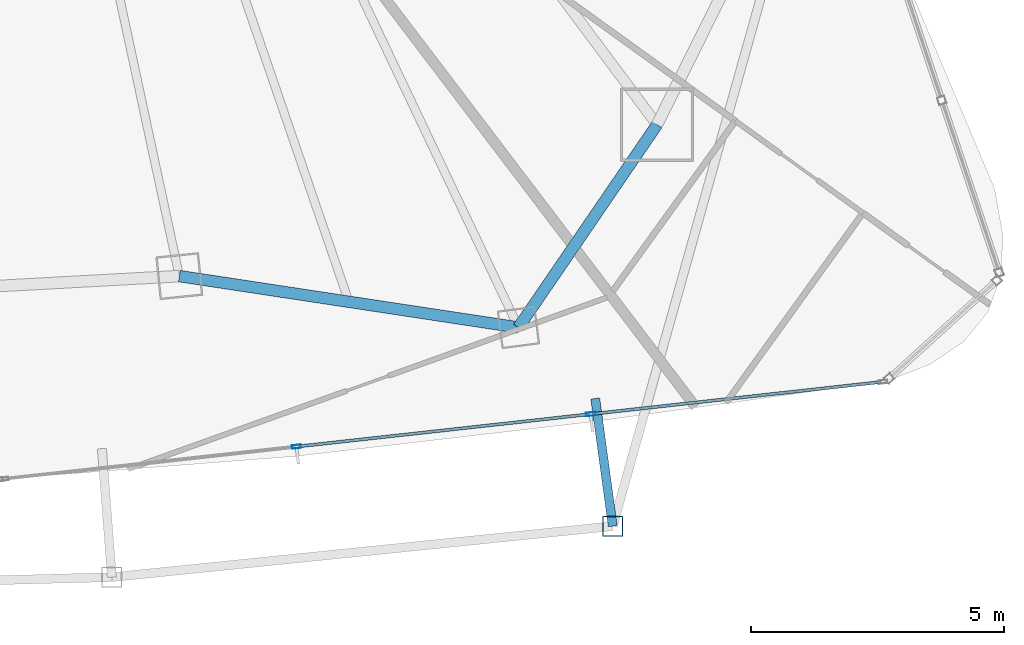
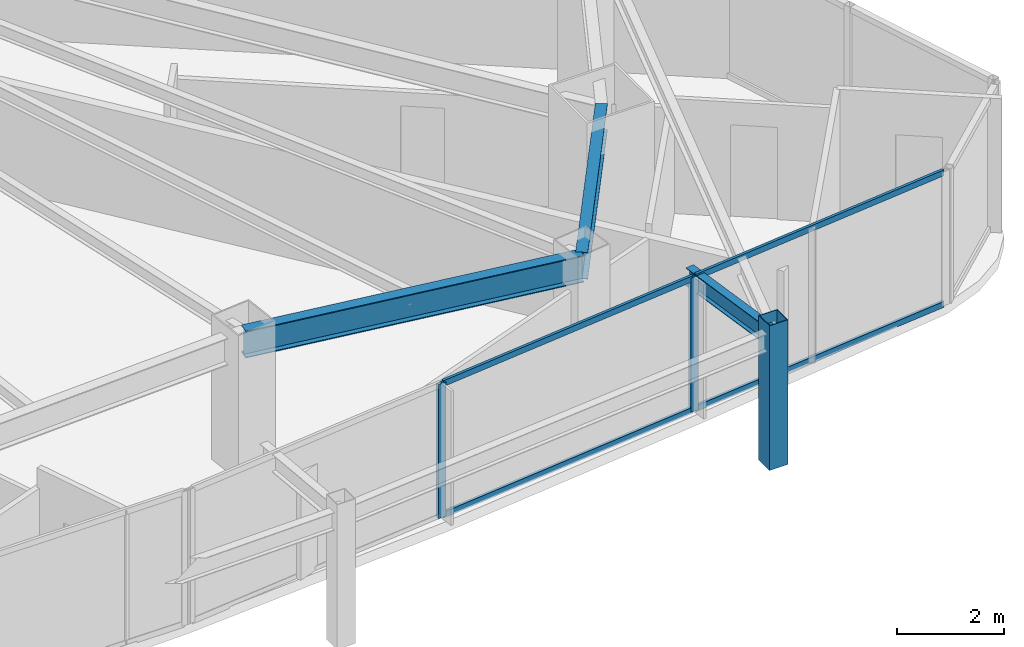
# One storey, part 12 of 30: 7 members, 3 beams, 1 element without a shape of its own.
"""IFC4 building model written with IfcOpenShell, lengths in metres."""

from ifc_helpers import new_model, si_unit, direction, frame, origin, origin_2d, place, context, subcontext, project, spatial, hollow_rectangle, i_section, extrude, material, layer, layer_set, material_profile, profile_set, type_object, element, aggregate, save


model = new_model("IFC4")

# Units and contexts
model_context = context("Model", 3, precision=1e-05, world=origin(), true_north=direction((0.0, 1.0)))
body_context = subcontext(model_context, "Body", "Model", "MODEL_VIEW")
ifc_project = project(units=[si_unit("LENGTHUNIT", "METRE"), si_unit("AREAUNIT", "SQUARE_METRE"), si_unit("VOLUMEUNIT", "CUBIC_METRE"), si_unit("PLANEANGLEUNIT", "RADIAN"), si_unit("MASSUNIT", "GRAM", prefix="KILO")], contexts=[model_context])

# Site, building, storey
site_placement = place(None, origin())
site = spatial("IfcSite", under=ifc_project, at=site_placement, CompositionType="ELEMENT")
building_placement = place(site_placement, origin())
building = spatial("IfcBuilding", under=site, at=building_placement, Name="Orvanel Arch Residences", CompositionType="ELEMENT")
storey_placement = place(building_placement, frame((0.0, 0.0, 139.699951171875)))
storey = spatial("IfcBuildingStorey", under=building, at=storey_placement, Name="L39", CompositionType="ELEMENT", Elevation=139.699951171875)

# Curtain wall, members
ifc_material_1 = material(Name="Bronze-anodised aluminium AA6063-T6", Category="aluminium")
ifc_layer = layer(ifc_material_1, 0.179931640625)
ifc_layer_set = layer_set([ifc_layer], Name="Bronze-anodised aluminium AA6063-T6")
curtain_wall_type = type_object("IfcCurtainWallType", Name="CW3-MID-SYS", PredefinedType="NOTDEFINED", material=ifc_layer_set)
curtain_wall_placement = place(storey_placement, origin())
curtain_wall = element("IfcCurtainWall", 1, at=curtain_wall_placement, inside=storey, type_object=curtain_wall_type, Name="L39 CW3-MID-SYS Unitised Curtain Wall", PredefinedType="NOTDEFINED")
ifc_material_profile_1 = material_profile(ifc_material_1, hollow_rectangle(XDim=0.070068359375, YDim=0.179931640625, WallThickness=0.00439453125, at=origin_2d()), Name="ALU180x70x4.5")
ifc_profile_set_1 = profile_set([ifc_material_profile_1], Name="Bronze-anodised aluminium AA6063-T6")
member_type_1 = type_object("IfcMemberType", Name="MUL-180x70", PredefinedType="MULLION", material=ifc_profile_set_1)
member_1_placement = place(storey_placement, frame((44.668701171875, 3.98193359375, 0.0), z_axis=(0.0, 0.0, 1.0), x_axis=(-0.109856452012, 0.993947463376, 0.0)))
member_1 = element("IfcMember", 2, at=member_1_placement, type_object=member_type_1, Name="CW-S3 mullion 2", PredefinedType="MULLION", context=body_context, shape_type="SweptSolid", body=[
    extrude(hollow_rectangle(XDim=0.070068359375, YDim=0.179931640625, WallThickness=0.00439453125, at=origin_2d()), origin(), (0.0, 0.0, 1.0), 3.06005859375),
])
member_2_placement = place(storey_placement, frame((50.486328125, 4.625, 0.0), z_axis=(0.0, 0.0, 1.0), x_axis=(-0.109856452012, 0.993947463376, 0.0)))
member_2 = element("IfcMember", 3, at=member_2_placement, type_object=member_type_1, Name="CW-S3 mullion 3", PredefinedType="MULLION", context=body_context, shape_type="SweptSolid", body=[
    extrude(hollow_rectangle(XDim=0.070068359375, YDim=0.179931640625, WallThickness=0.00439453125, at=origin_2d()), origin(), (0.0, 0.0, 1.0), 3.06005859375),
])

# Beams
ifc_material_2 = material(Name="Structural steel AS/NZS 3679.1 Grade 300 (300 MPa)", Category="steel")
ifc_material_profile_2 = material_profile(ifc_material_2, i_section(OverallWidth=0.177978515625, OverallDepth=0.406005859375, WebThickness=0.0078125, FlangeThickness=0.0126953125, at=origin_2d()), Name="410UB59.7")
ifc_profile_set_2 = profile_set([ifc_material_profile_2], Name="Structural steel AS/NZS 3679.1 Grade 300 (300 MPa)")
beam_type_1 = type_object("IfcBeamType", Name="OB-410UB-EXT", PredefinedType="SPANDREL", material=ifc_profile_set_2)
beam_1_placement = place(storey_placement, frame((50.577880859375, 4.93505859375, 2.85693359375), z_axis=(0.136151386694, -0.990688043685, 0.0), x_axis=(0.990688043685, 0.136151386694, 0.0)))
element("IfcBeam", 4, at=beam_1_placement, inside=storey, type_object=beam_type_1, Name="L39 Outer Frame Radial Tie Beam 08", PredefinedType="SPANDREL", context=body_context, shape_type="SweptSolid", body=[
    extrude(i_section(OverallWidth=0.177978515625, OverallDepth=0.406005859375, WebThickness=0.0078125, FlangeThickness=0.0126953125, at=origin_2d()), origin(), (0.0, 0.0, 1.0), 2.5498046875),
])
ifc_material_profile_3 = material_profile(ifc_material_2, i_section(OverallWidth=0.22900390625, OverallDepth=0.612060546875, WebThickness=0.011962890625, FlangeThickness=0.01953125, at=origin_2d()), Name="610UB125")
ifc_profile_set_3 = profile_set([ifc_material_profile_3], Name="Structural steel AS/NZS 3679.1 Grade 300 (300 MPa)")
beam_type_2 = type_object("IfcBeamType", Name="SP-610UB", PredefinedType="SPANDREL", material=ifc_profile_set_3)
beam_2_placement = place(storey_placement, frame((42.35107421875, 7.35498046875, 2.754150390625), z_axis=(0.988726323014, -0.149733958002, 0.0), x_axis=(0.149733958002, 0.988726323014, 0.0)))
element("IfcBeam", 5, at=beam_2_placement, inside=storey, type_object=beam_type_2, Name="L39 Perimeter Spandrel Beam 07", PredefinedType="SPANDREL", context=body_context, shape_type="SweptSolid", body=[
    extrude(i_section(OverallWidth=0.22900390625, OverallDepth=0.612060546875, WebThickness=0.011962890625, FlangeThickness=0.01953125, at=origin_2d()), origin(), (0.0, 0.0, 1.0), 6.784423828125),
])
beam_3_placement = place(storey_placement, frame((49.05908203125, 6.339111328125, 2.754150390625), z_axis=(0.564251579852, 0.825602903722, 0.0), x_axis=(-0.825602903722, 0.564251579852, 0.0)))
element("IfcBeam", 6, at=beam_3_placement, inside=storey, type_object=beam_type_2, Name="L39 Perimeter Spandrel Beam 08", PredefinedType="SPANDREL", context=body_context, shape_type="SweptSolid", body=[
    extrude(i_section(OverallWidth=0.22900390625, OverallDepth=0.612060546875, WebThickness=0.011962890625, FlangeThickness=0.01953125, at=origin_2d()), origin(), (0.0, 0.0, 1.0), 4.859375),
])

# Member
ifc_material_3 = material(Name="Structural steel AS/NZS 1163 C450L0 (Grade 450)", Category="steel")
ifc_material_profile_4 = material_profile(ifc_material_3, hollow_rectangle(XDim=0.39990234375, YDim=0.39990234375, WallThickness=0.01611328125, at=origin_2d()), Name="SHS400x400x16")
ifc_profile_set_4 = profile_set([ifc_material_profile_4], Name="Structural steel AS/NZS 1163 C450L0 (Grade 450)")
member_type_2 = type_object("IfcMemberType", Name="ST-400SHS-EXT", PredefinedType="STRUT", material=ifc_profile_set_4)
member_3_placement = place(storey_placement, frame((50.925048828125, 2.408935546875, 0.0), z_axis=(0.0, 0.0, 1.0), x_axis=(1.0, 0.0, 0.0)))
element("IfcMember", 7, at=member_3_placement, inside=storey, type_object=member_type_2, Name="L39 Outer Perimeter Frame Post 08", PredefinedType="STRUT", context=body_context, shape_type="SweptSolid", body=[
    extrude(hollow_rectangle(XDim=0.39990234375, YDim=0.39990234375, WallThickness=0.01611328125, at=origin_2d()), origin(), (0.0, 0.0, 1.0), 3.300048828125),
])

ifc_material_profile_5 = material_profile(ifc_material_1, hollow_rectangle(XDim=0.06005859375, YDim=0.135009765625, WallThickness=0.00390625, at=origin_2d()), Name="ALU135x60x4")
ifc_profile_set_5 = profile_set([ifc_material_profile_5], Name="Bronze-anodised aluminium AA6063-T6")
member_type_3 = type_object("IfcMemberType", Name="TRN-135x60", PredefinedType="USERDEFINED", material=ifc_profile_set_5)
member_4_placement = place(storey_placement, frame((44.703369140625, 3.98583984375, 0.030029296875), z_axis=(0.993948942037, 0.109843072719, 0.0), x_axis=(-0.109843072719, 0.993948942037, 0.0)))
member_4 = element("IfcMember", 8, at=member_4_placement, type_object=member_type_3, Name="CW-S3 transom 2.1", ObjectType="TRANSOM", PredefinedType="USERDEFINED", context=body_context, shape_type="SweptSolid", body=[
    extrude(hollow_rectangle(XDim=0.06005859375, YDim=0.135009765625, WallThickness=0.00390625, at=origin_2d()), origin(), (0.0, 0.0, 1.0), 5.783203125),
])

member_5_placement = place(storey_placement, frame((44.703369140625, 3.98583984375, 3.030029296875), z_axis=(0.993948942037, 0.109843072719, 0.0), x_axis=(-0.109843072719, 0.993948942037, 0.0)))
member_5 = element("IfcMember", 9, at=member_5_placement, type_object=member_type_3, Name="CW-S3 transom 2.2", ObjectType="TRANSOM", PredefinedType="USERDEFINED", context=body_context, shape_type="SweptSolid", body=[
    extrude(hollow_rectangle(XDim=0.06005859375, YDim=0.135009765625, WallThickness=0.00390625, at=origin_2d()), origin(), (0.0, 0.0, 1.0), 5.783203125),
])

member_6_placement = place(storey_placement, frame((50.521240234375, 4.62890625, 0.030029296875), z_axis=(0.993949342243, 0.109839451265, 0.0), x_axis=(-0.109839451265, 0.993949342243, 0.0)))
member_6 = element("IfcMember", 10, at=member_6_placement, type_object=member_type_3, Name="CW-S3 transom 3.1", ObjectType="TRANSOM", PredefinedType="USERDEFINED", context=body_context, shape_type="SweptSolid", body=[
    extrude(hollow_rectangle(XDim=0.06005859375, YDim=0.135009765625, WallThickness=0.00390625, at=origin_2d()), origin(), (0.0, 0.0, 1.0), 5.747802734375),
])

member_7_placement = place(storey_placement, frame((50.521240234375, 4.62890625, 3.030029296875), z_axis=(0.993949342243, 0.109839451265, 0.0), x_axis=(-0.109839451265, 0.993949342243, 0.0)))
member_7 = element("IfcMember", 11, at=member_7_placement, type_object=member_type_3, Name="CW-S3 transom 3.2", ObjectType="TRANSOM", PredefinedType="USERDEFINED", context=body_context, shape_type="SweptSolid", body=[
    extrude(hollow_rectangle(XDim=0.06005859375, YDim=0.135009765625, WallThickness=0.00390625, at=origin_2d()), origin(), (0.0, 0.0, 1.0), 5.747802734375),
])

aggregate(curtain_wall, [member_1, member_2, member_4, member_5, member_6, member_7])

save(model, "model.ifc")
